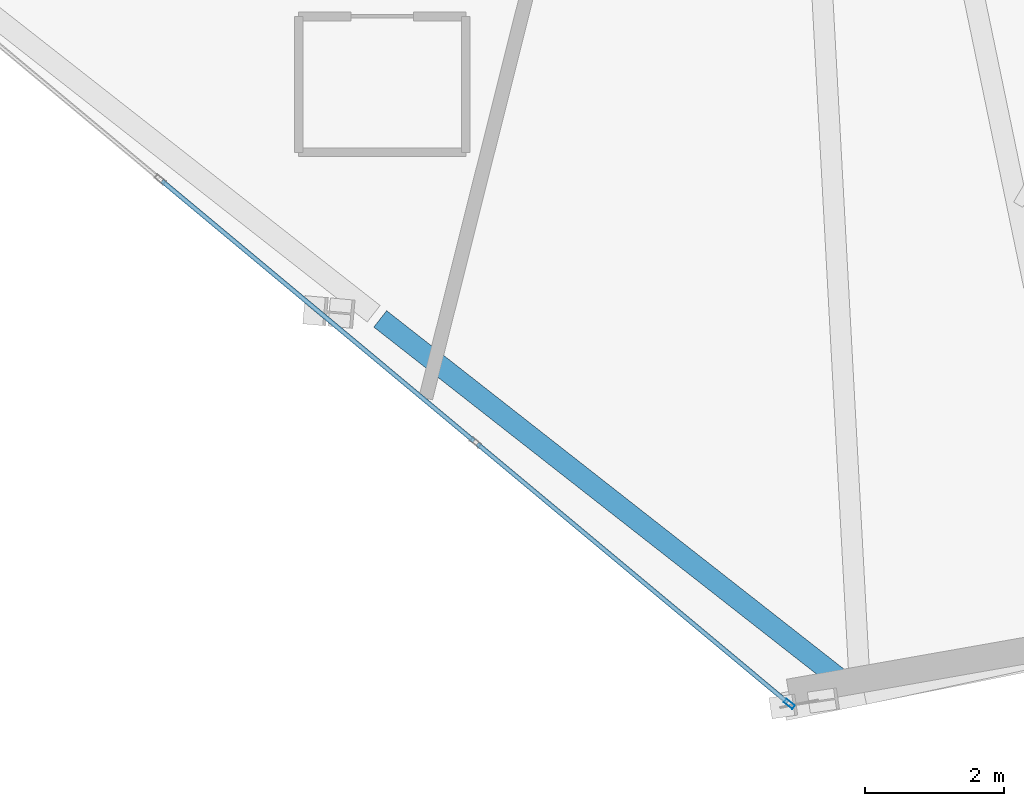
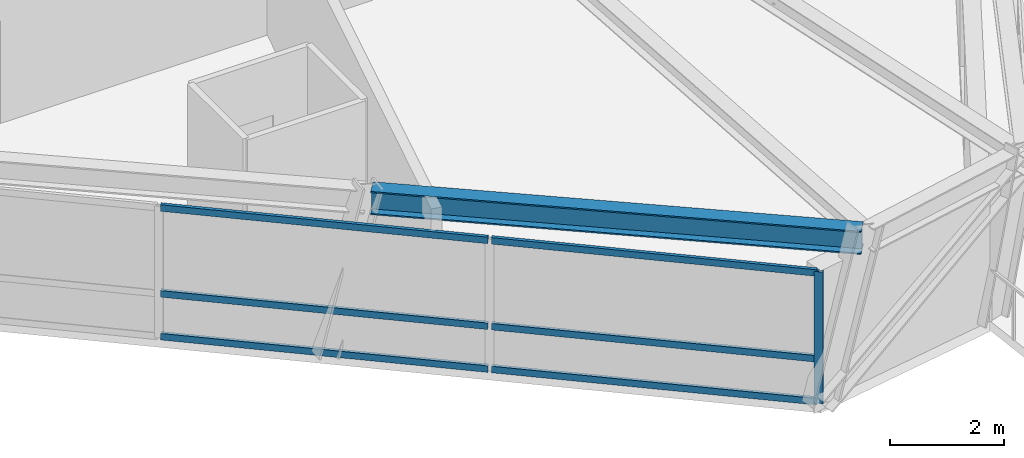
# One storey, part 3 of 14: 7 members, 1 beam, 1 element without a shape of its own.
"""IFC4 building model written with IfcOpenShell, lengths in metres."""

import ifcopenshell
import ifcopenshell.guid

model = None  # the IFC model being written
_history = None  # IfcOwnerHistory: only IFC2X3 demands one
_inside = {}  # id of a spatial element -> (the spatial element, [elements in it])
_under = {}  # id of a project, library or spatial element -> (it, [spatial elements below it])
_declared = {}  # id of a project -> (the project, [libraries it declares])
_typed = {}  # id of a type object -> (the type object, [elements of that type])
_made_of = {}  # id of a material, layer set ... -> (it, [elements and type objects made of it])


def new_model(schema):
    """Start an empty IFC model of exactly this schema.

    Asked for "IFC4X3", IfcOpenShell would pick the latest addendum, in which some entities
    have other attributes; the version numbers below select the first issue.
    IFC2X3 requires an IfcOwnerHistory on every rooted entity: one is made here for all.
    """
    global model, _history
    if schema == "IFC4X3":
        model = ifcopenshell.file(schema_version=(4, 3, 0, 0))
    else:
        model = ifcopenshell.file(schema=schema)
    _inside.clear()
    _under.clear()
    _declared.clear()
    _typed.clear()
    _made_of.clear()
    _history = None
    if model.schema == "IFC2X3":
        org = make("IfcOrganization", Name="unknown")
        user = make(
            "IfcPersonAndOrganization",
            ThePerson=make("IfcPerson", FamilyName="unknown"),
            TheOrganization=org,
        )
        app = make(
            "IfcApplication",
            ApplicationDeveloper=org,
            Version="unknown",
            ApplicationFullName="unknown",
            ApplicationIdentifier="unknown",
        )
        _history = make(
            "IfcOwnerHistory",
            OwningUser=user,
            OwningApplication=app,
            ChangeAction="ADDED",
            CreationDate=0,
        )
    return model


def make(cls, **values):
    """One entity of the class cls with the attributes given. An attribute that is None is left unset."""
    return model.create_entity(
        cls, **{name: value for name, value in values.items() if value is not None}
    )


def rooted(cls, **values):
    """An entity with a GlobalId (a new one), such as an element, a storey or a relation."""
    return make(cls, GlobalId=ifcopenshell.guid.new(), OwnerHistory=_history, **values)


def si_unit(unit_type, name, prefix=None):
    """IfcSIUnit, for example si_unit("LENGTHUNIT", "METRE", prefix="MILLI")."""
    return make("IfcSIUnit", UnitType=unit_type, Prefix=prefix, Name=name)


def assignment(units):
    """IfcUnitAssignment: the units of a project."""
    return None if units is None else make("IfcUnitAssignment", Units=units)


def point(xyz):
    """IfcCartesianPoint."""
    return None if xyz is None else make("IfcCartesianPoint", Coordinates=xyz)


def direction(xyz):
    """IfcDirection."""
    return None if xyz is None else make("IfcDirection", DirectionRatios=xyz)


def frame(location, z_axis=None, x_axis=None):
    """IfcAxis2Placement3D, a coordinate frame: its origin and axes. An axis left out is left unset."""
    return make(
        "IfcAxis2Placement3D",
        Location=point(location),
        Axis=direction(z_axis),
        RefDirection=direction(x_axis),
    )


def frame_2d(location, x_axis=None):
    """IfcAxis2Placement2D, a coordinate frame in the plane: its origin and x axis."""
    return make(
        "IfcAxis2Placement2D", Location=point(location), RefDirection=direction(x_axis)
    )


def origin():
    """The frame at (0, 0, 0) with its axes left unset."""
    return frame((0.0, 0.0, 0.0))


def origin_2d():
    """The frame at (0, 0) in the plane with its x axis left unset."""
    return frame_2d((0.0, 0.0))


def place(relative_to, where):
    """IfcLocalPlacement: puts the frame where relative to a parent placement (None: the world)."""
    return make(
        "IfcLocalPlacement", PlacementRelTo=relative_to, RelativePlacement=where
    )


def context(
    kind, dimensions, precision=None, world=None, true_north=None, identifier=None
):
    """IfcGeometricRepresentationContext, for example the 3D "Model" context."""
    return make(
        "IfcGeometricRepresentationContext",
        ContextIdentifier=identifier,
        ContextType=kind,
        CoordinateSpaceDimension=dimensions,
        Precision=precision,
        WorldCoordinateSystem=world,
        TrueNorth=true_north,
    )


def subcontext(parent, identifier, kind, view, scale=None):
    """IfcGeometricRepresentationSubContext, for example "Body" below "Model"."""
    return make(
        "IfcGeometricRepresentationSubContext",
        ContextIdentifier=identifier,
        ContextType=kind,
        ParentContext=parent,
        TargetScale=scale,
        TargetView=view,
    )


def project(units=None, contexts=None):
    """IfcProject with its units and contexts."""
    return rooted(
        "IfcProject",
        Name="project",
        RepresentationContexts=contexts,
        UnitsInContext=assignment(units),
    )


def spatial(cls, under=None, at=None, **own):
    """A site, building, storey or space (cls), placed at a placement, below another one or the project."""
    s = rooted(cls, ObjectPlacement=at, **own)
    if under is not None:
        _under.setdefault(under.id(), (under, []))[1].append(s)
    return s


def profile(cls, at=None, kind="AREA", **sizes):
    """A parametric profile (cls). Its sizes go by their IFC names, for example OverallWidth=200.0."""
    return make(cls, ProfileType=kind, Position=at, **sizes)


def hollow_rectangle(**sizes):
    """IfcRectangleHollowProfileDef."""
    return profile("IfcRectangleHollowProfileDef", **sizes)


def i_section(**sizes):
    """IfcIShapeProfileDef."""
    return profile("IfcIShapeProfileDef", **sizes)


def extrude(swept, where, along, depth):
    """IfcExtrudedAreaSolid: the profile swept, set in the frame where, extruded along a direction by depth."""
    return make(
        "IfcExtrudedAreaSolid",
        SweptArea=swept,
        Position=where,
        ExtrudedDirection=direction(along),
        Depth=depth,
    )


def shape(context_of_items, identifier, shape_type, items):
    """IfcShapeRepresentation: the items that make up one representation, for example the "Body"."""
    return make(
        "IfcShapeRepresentation",
        ContextOfItems=context_of_items,
        RepresentationIdentifier=identifier,
        RepresentationType=shape_type,
        Items=items,
    )


def source(mapping_origin, context_of_items, identifier, shape_type, items):
    """IfcRepresentationMap: a shape defined once, which mapped items show again and again."""
    return make(
        "IfcRepresentationMap",
        MappingOrigin=mapping_origin,
        MappedRepresentation=shape(context_of_items, identifier, shape_type, items),
    )


def transform(
    local_origin,
    x_axis=None,
    y_axis=None,
    z_axis=None,
    scale=None,
    scale2=None,
    scale3=None,
    uniform=True,
):
    """IfcCartesianTransformationOperator3D, or its non-uniform kind. x_axis, y_axis, z_axis: its Axis1, 2, 3."""
    if uniform:
        return make(
            "IfcCartesianTransformationOperator3D",
            Axis1=direction(x_axis),
            Axis2=direction(y_axis),
            LocalOrigin=point(local_origin),
            Scale=scale,
            Axis3=direction(z_axis),
        )
    return make(
        "IfcCartesianTransformationOperator3DnonUniform",
        Axis1=direction(x_axis),
        Axis2=direction(y_axis),
        LocalOrigin=point(local_origin),
        Scale=scale,
        Axis3=direction(z_axis),
        Scale2=scale2,
        Scale3=scale3,
    )


def mapped(mapping_source, mapping_target):
    """IfcMappedItem: shows the shape of a source again, moved by a transform."""
    return make(
        "IfcMappedItem", MappingSource=mapping_source, MappingTarget=mapping_target
    )


def material(Name=None, Category=None):
    """IfcMaterial."""
    return make("IfcMaterial", Name=Name, Category=Category)


def material_profile(
    of_material, cross_section, Name=None, Category=None, Priority=None
):
    """IfcMaterialProfile: a cross section and its material."""
    return make(
        "IfcMaterialProfile",
        Name=Name,
        Material=of_material,
        Profile=cross_section,
        Priority=Priority,
        Category=Category,
    )


def profile_set(profiles, Name=None, composite=None):
    """IfcMaterialProfileSet."""
    return make(
        "IfcMaterialProfileSet",
        Name=Name,
        MaterialProfiles=profiles,
        CompositeProfile=composite,
    )


def made_of(thing, what):
    """Note that an element or type object is made of a material, layer set ...; save() writes the relation."""
    if what is not None:
        _made_of.setdefault(what.id(), (what, []))[1].append(thing)
    return thing


def type_object(cls, material=None, **own):
    """A type object (cls), such as IfcWallType, which elements share."""
    return made_of(rooted(cls, **own), material)


def element(
    cls,
    number,
    at=None,
    inside=None,
    cuts=None,
    type_object=None,
    material=None,
    context=None,
    identifier="Body",
    shape_type=None,
    held_by="IfcProductDefinitionShape",
    body=None,
    shapes=None,
    **own,
):
    """One element of the class cls, such as IfcWall. Its Tag is "e" and its number.

    at: its placement. inside: the storey or other place that contains it. cuts: it is an
    opening in that element (IfcRelVoidsElement). A single representation is given by context,
    identifier, shape_type and body (its items); several are given by shapes. held_by: the class
    of the entity that holds the representations. save() writes the other relations.
    """
    e = rooted(cls, Tag="e%d" % number, ObjectPlacement=at, **own)
    if body is not None:
        shapes = [shape(context, identifier, shape_type, body)]
    if shapes is not None:
        e.Representation = make(held_by, Representations=shapes)
    if inside is not None:
        _inside.setdefault(inside.id(), (inside, []))[1].append(e)
    if cuts is not None:
        rooted(
            "IfcRelVoidsElement", RelatingBuildingElement=cuts, RelatedOpeningElement=e
        )
    if type_object is not None:
        _typed.setdefault(type_object.id(), (type_object, []))[1].append(e)
    return made_of(e, material)


def aggregate(whole, parts):
    """IfcRelAggregates: a whole, such as a stair, and the parts it consists of."""
    return rooted("IfcRelAggregates", RelatingObject=whole, RelatedObjects=parts)


def save(model, path):
    """Write the relations noted so far, then the file.

    IfcRelAggregates (storeys below a building ...), IfcRelContainedInSpatialStructure (elements
    in a storey), IfcRelDefinesByType, IfcRelAssociatesMaterial and IfcRelDeclares: one each for
    every whole, place, type object, material and project.
    """
    for whole, parts in _under.values():
        aggregate(whole, parts)
    for where, things in _inside.values():
        rooted(
            "IfcRelContainedInSpatialStructure",
            RelatedElements=things,
            RelatingStructure=where,
        )
    for kind, things in _typed.values():
        rooted("IfcRelDefinesByType", RelatedObjects=things, RelatingType=kind)
    for what, things in _made_of.values():
        rooted("IfcRelAssociatesMaterial", RelatedObjects=things, RelatingMaterial=what)
    for by, libraries in _declared.values():
        rooted("IfcRelDeclares", RelatingContext=by, RelatedDefinitions=libraries)
    model.write(path)


model = new_model("IFC4")

# Units and contexts
model_context = context("Model", 3, precision=1e-05, world=origin(), true_north=direction((0.0, 1.0)))
body_context = subcontext(model_context, "Body", "Model", "MODEL_VIEW")
ifc_project = project(units=[si_unit("LENGTHUNIT", "METRE"), si_unit("AREAUNIT", "SQUARE_METRE"), si_unit("VOLUMEUNIT", "CUBIC_METRE"), si_unit("PLANEANGLEUNIT", "RADIAN"), si_unit("MASSUNIT", "GRAM", prefix="KILO")], contexts=[model_context])

# Site, building, storey
site_placement = place(None, origin())
site = spatial("IfcSite", under=ifc_project, at=site_placement, CompositionType="ELEMENT")
building_placement = place(site_placement, origin())
building = spatial("IfcBuilding", under=site, at=building_placement, Name="Olszyna Solenne Hotel", CompositionType="ELEMENT")
storey_placement = place(building_placement, frame((0.0, 0.0, 220.25)))
storey = spatial("IfcBuildingStorey", under=building, at=storey_placement, Name="L58", CompositionType="ELEMENT", Elevation=220.25)

# Beam
ifc_material_1 = material(Name="Steel S355J2", Category="steel")
ifc_material_profile_1 = material_profile(ifc_material_1, i_section(OverallWidth=0.300048828125, OverallDepth=0.5, WebThickness=0.014404296875, FlangeThickness=0.028076171875, at=origin_2d()), Name="HEB 500", Category="load-bearing")
ifc_profile_set_1 = profile_set([ifc_material_profile_1], Name="Steel S355J2")
beam_type = type_object("IfcBeamType", Name="BM-S3", PredefinedType="BEAM", material=ifc_profile_set_1)
shared_shape_1 = source(origin(), body_context, "Body", "SweptSolid", [
    extrude(i_section(OverallWidth=0.300048828125, OverallDepth=0.5, WebThickness=0.014404296875, FlangeThickness=0.028076171875, at=origin_2d()), origin(), (0.0, 0.0, 1.0), 8.694091796875),
])
beam_placement = place(storey_placement, frame((32.408935546875, 8.05078125, 3.080078125), z_axis=(0.787078760497, -0.616852514604, 0.0), x_axis=(0.616852514604, 0.787078760497, 0.0)))
element("IfcBeam", 1, at=beam_placement, inside=storey, type_object=beam_type, Name="Perimeter spandrel beam BM-S3 B-L58-1715", PredefinedType="BEAM", context=body_context, shape_type="MappedRepresentation", body=[
    mapped(shared_shape_1, transform((0.0, 0.0, 0.0), x_axis=(1.0, 0.0, 0.0), y_axis=(0.0, 1.0, 0.0), z_axis=(0.0, 0.0, 1.0), scale=1.0)),
])

# Curtain wall, members
ifc_material_2 = material(Name="Anodised bronze aluminium", Category="aluminium")
curtain_wall_type = type_object("IfcCurtainWallType", Name="CW-SYS-4", PredefinedType="NOTDEFINED", material=ifc_material_2)
curtain_wall_placement = place(storey_placement, origin())
curtain_wall = element("IfcCurtainWall", 2, at=curtain_wall_placement, inside=storey, type_object=curtain_wall_type, Name="Unitised curtain wall CW-SYS-4 CW-L58-01", PredefinedType="NOTDEFINED")
ifc_material_profile_2 = material_profile(ifc_material_2, hollow_rectangle(XDim=0.06494140625, YDim=0.159912109375, WallThickness=0.00390625, at=origin_2d()), Name="MULL 160x65x4", Category="load-bearing")
ifc_profile_set_2 = profile_set([ifc_material_profile_2], Name="Anodised bronze aluminium")
member_type_1 = type_object("IfcMemberType", Name="CW-M3", PredefinedType="MULLION", material=ifc_profile_set_2)
shared_shape_2 = source(origin(), body_context, "Body", "SweptSolid", [
    extrude(hollow_rectangle(XDim=0.06494140625, YDim=0.159912109375, WallThickness=0.00390625, at=origin_2d()), origin(), (0.0, 0.0, 1.0), 2.822021484375),
])
member_1_placement = place(storey_placement, frame((38.280029296875, 2.525146484375, 0.0), z_axis=(0.0, 0.0, 1.0), x_axis=(0.640281208368, 0.768140595341, 0.0)))
member_1 = element("IfcMember", 3, at=member_1_placement, type_object=member_type_1, Name="Curtain-wall mullion CW-M3 CM-L58-01-04", PredefinedType="MULLION", context=body_context, shape_type="MappedRepresentation", body=[
    mapped(shared_shape_2, transform((0.0, 0.0, 0.0), x_axis=(1.0, 0.0, 0.0), y_axis=(0.0, 1.0, 0.0), z_axis=(0.0, 0.0, 1.0), scale=1.0)),
])
ifc_material_profile_3 = material_profile(ifc_material_2, hollow_rectangle(XDim=0.06494140625, YDim=0.139892578125, WallThickness=0.00390625, at=origin_2d()), Name="TRAN 140x65x4", Category="load-bearing")
ifc_profile_set_3 = profile_set([ifc_material_profile_3], Name="Anodised bronze aluminium")
member_type_2 = type_object("IfcMemberType", Name="CW-T2", PredefinedType="USERDEFINED", material=ifc_profile_set_3)
shared_shape_3 = source(origin(), body_context, "Body", "SweptSolid", [
    extrude(hollow_rectangle(XDim=0.06494140625, YDim=0.139892578125, WallThickness=0.00390625, at=origin_2d()), origin(), (0.0, 0.0, 1.0), 5.795166015625),
])
member_2_placement = place(storey_placement, frame((33.803466796875, 6.256591796875, 0.032470703125), z_axis=(0.768121129701, -0.64030456043, 0.0), x_axis=(0.64030456043, 0.768121129701, 0.0)))
member_2 = element("IfcMember", 4, at=member_2_placement, type_object=member_type_2, Name="Curtain-wall transom CW-T2 CT-L58-01-07", ObjectType="TRANSOM", PredefinedType="USERDEFINED", context=body_context, shape_type="MappedRepresentation", body=[
    mapped(shared_shape_3, transform((0.0, 0.0, 0.0), x_axis=(1.0, 0.0, 0.0), y_axis=(0.0, 1.0, 0.0), z_axis=(0.0, 0.0, 1.0), scale=1.0)),
])
member_3_placement = place(storey_placement, frame((33.803466796875, 6.256591796875, 0.949951171875), z_axis=(0.768121129701, -0.64030456043, 0.0), x_axis=(0.64030456043, 0.768121129701, 0.0)))
member_3 = element("IfcMember", 5, at=member_3_placement, type_object=member_type_2, Name="Curtain-wall transom CW-T2 CT-L58-01-08", ObjectType="TRANSOM", PredefinedType="USERDEFINED", context=body_context, shape_type="MappedRepresentation", body=[
    mapped(shared_shape_3, transform((0.0, 0.0, 0.0), x_axis=(1.0, 0.0, 0.0), y_axis=(0.0, 1.0, 0.0), z_axis=(0.0, 0.0, 1.0), scale=1.0)),
])
member_4_placement = place(storey_placement, frame((33.803466796875, 6.256591796875, 2.78955078125), z_axis=(0.768121129701, -0.64030456043, 0.0), x_axis=(0.64030456043, 0.768121129701, 0.0)))
member_4 = element("IfcMember", 6, at=member_4_placement, type_object=member_type_2, Name="Curtain-wall transom CW-T2 CT-L58-01-09", ObjectType="TRANSOM", PredefinedType="USERDEFINED", context=body_context, shape_type="MappedRepresentation", body=[
    mapped(shared_shape_3, transform((0.0, 0.0, 0.0), x_axis=(1.0, 0.0, 0.0), y_axis=(0.0, 1.0, 0.0), z_axis=(0.0, 0.0, 1.0), scale=1.0)),
])
shared_shape_4 = source(origin(), body_context, "Body", "SweptSolid", [
    extrude(hollow_rectangle(XDim=0.06494140625, YDim=0.139892578125, WallThickness=0.00390625, at=origin_2d()), origin(), (0.0, 0.0, 1.0), 5.82763671875),
])
member_5_placement = place(storey_placement, frame((29.277099609375, 10.029541015625, 0.032470703125), z_axis=(0.768121686827, -0.64030389209, 0.0), x_axis=(0.64030389209, 0.768121686827, 0.0)))
member_5 = element("IfcMember", 7, at=member_5_placement, type_object=member_type_2, Name="Curtain-wall transom CW-T2 CT-L58-01-04", ObjectType="TRANSOM", PredefinedType="USERDEFINED", context=body_context, shape_type="MappedRepresentation", body=[
    mapped(shared_shape_4, transform((0.0, 0.0, 0.0), x_axis=(1.0, 0.0, 0.0), y_axis=(0.0, 1.0, 0.0), z_axis=(0.0, 0.0, 1.0), scale=1.0)),
])
member_6_placement = place(storey_placement, frame((29.277099609375, 10.029541015625, 0.949951171875), z_axis=(0.768121686827, -0.64030389209, 0.0), x_axis=(0.64030389209, 0.768121686827, 0.0)))
member_6 = element("IfcMember", 8, at=member_6_placement, type_object=member_type_2, Name="Curtain-wall transom CW-T2 CT-L58-01-05", ObjectType="TRANSOM", PredefinedType="USERDEFINED", context=body_context, shape_type="MappedRepresentation", body=[
    mapped(shared_shape_4, transform((0.0, 0.0, 0.0), x_axis=(1.0, 0.0, 0.0), y_axis=(0.0, 1.0, 0.0), z_axis=(0.0, 0.0, 1.0), scale=1.0)),
])
member_7_placement = place(storey_placement, frame((29.277099609375, 10.029541015625, 2.78955078125), z_axis=(0.768121686827, -0.64030389209, 0.0), x_axis=(0.64030389209, 0.768121686827, 0.0)))
member_7 = element("IfcMember", 9, at=member_7_placement, type_object=member_type_2, Name="Curtain-wall transom CW-T2 CT-L58-01-06", ObjectType="TRANSOM", PredefinedType="USERDEFINED", context=body_context, shape_type="MappedRepresentation", body=[
    mapped(shared_shape_4, transform((0.0, 0.0, 0.0), x_axis=(1.0, 0.0, 0.0), y_axis=(0.0, 1.0, 0.0), z_axis=(0.0, 0.0, 1.0), scale=1.0)),
])
aggregate(curtain_wall, [member_1, member_5, member_6, member_7, member_2, member_3, member_4])

save(model, "model.ifc")
